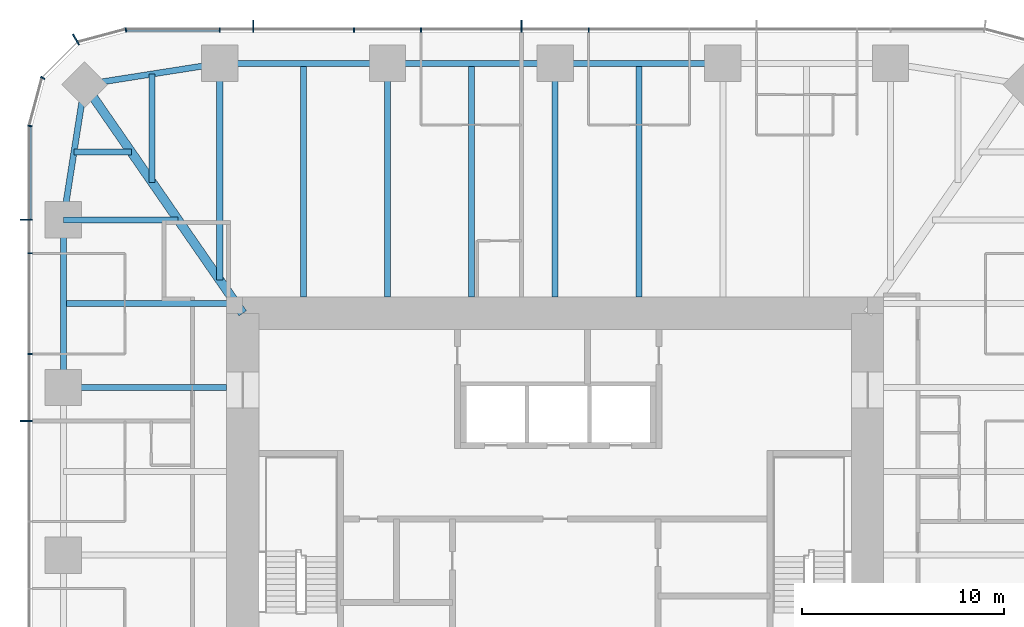
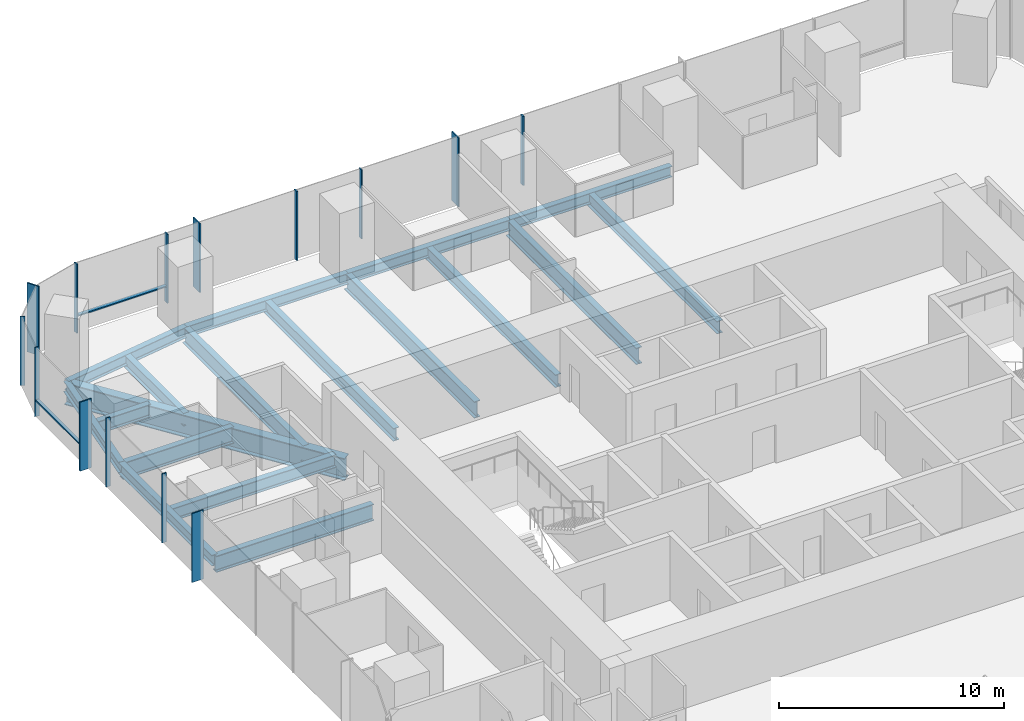
# One storey, part 5 of 12: 18 beams, 16 members, 3 elements without a shape of their own.
"""IFC4 building model written with IfcOpenShell, lengths in metres."""

from ifc_helpers import new_model, si_unit, direction, frame, origin, origin_2d, place, context, subcontext, project, spatial, rectangle, i_section, extrude, material, material_profile, profile_set, type_object, element, aggregate, save


model = new_model("IFC4")

# Units and contexts
model_context = context("Model", 3, precision=1e-05, world=origin(), true_north=direction((0.0, 1.0)))
body_context = subcontext(model_context, "Body", "Model", "MODEL_VIEW")
ifc_project = project(units=[si_unit("LENGTHUNIT", "METRE"), si_unit("AREAUNIT", "SQUARE_METRE"), si_unit("VOLUMEUNIT", "CUBIC_METRE"), si_unit("PLANEANGLEUNIT", "RADIAN"), si_unit("MASSUNIT", "GRAM", prefix="KILO")], contexts=[model_context])

# Site, building, storey
site_placement = place(None, origin())
site = spatial("IfcSite", under=ifc_project, at=site_placement, CompositionType="ELEMENT")
building_placement = place(site_placement, origin())
building = spatial("IfcBuilding", under=site, at=building_placement, Name="Khuree Lantern Residences", CompositionType="ELEMENT")
storey_placement = place(building_placement, frame((0.0, 0.0, 233.25)))
storey = spatial("IfcBuildingStorey", under=building, at=storey_placement, Name="L58", CompositionType="ELEMENT", Elevation=233.25)

# Beams
ifc_material_1 = material(Name="Steel S355", Category="steel")
ifc_material_profile_1 = material_profile(ifc_material_1, i_section(OverallWidth=0.300048828125, OverallDepth=0.68994140625, WebThickness=0.014404296875, FlangeThickness=0.027099609375, FilletRadius=0.027099609375, at=origin_2d()), Name="HE 700 A")
ifc_profile_set_1 = profile_set([ifc_material_profile_1], Name="Steel S355")
beam_type_1 = type_object("IfcBeamType", Name="B-33 SECONDARY BEAM HE 700 A", PredefinedType="BEAM", material=ifc_profile_set_1)
for number, where, z_axis, x_axis, name in (
    (1, (-12.47998046875, 24.39990234375, -0.594970703125), (0.0, -1.0, 0.0), (1.0, 0.0, 0.0), "Secondary beam N1"),
    (2, (-4.159912109375, 24.39990234375, -0.594970703125), (0.0, -1.0, 0.0), (1.0, 0.0, 0.0), "Secondary beam N2"),
    (3, (4.159912109375, 24.39990234375, -0.594970703125), (0.0, -1.0, 0.0), (1.0, 0.0, 0.0), "Secondary beam N3"),
):
    element("IfcBeam", number, at=place(storey_placement, frame(where, z_axis=z_axis, x_axis=x_axis)), inside=storey, type_object=beam_type_1, Name=name, PredefinedType="BEAM", context=body_context, shape_type="SweptSolid", body=[
        extrude(i_section(OverallWidth=0.300048828125, OverallDepth=0.68994140625, WebThickness=0.014404296875, FlangeThickness=0.027099609375, FilletRadius=0.027099609375, at=origin_2d()), origin(), (0.0, 0.0, 1.0), 11.599853515625),
    ])
beam_1_placement = place(storey_placement, frame((-24.39990234375, 12.47998046875, -0.594970703125), z_axis=(1.0, 0.0, 0.0), x_axis=(0.0, 1.0, 0.0)))
element("IfcBeam", 4, at=beam_1_placement, inside=storey, type_object=beam_type_1, Name="Secondary beam W5", PredefinedType="BEAM", context=body_context, shape_type="SweptSolid", body=[
    extrude(i_section(OverallWidth=0.300048828125, OverallDepth=0.68994140625, WebThickness=0.014404296875, FlangeThickness=0.027099609375, FilletRadius=0.027099609375, at=origin_2d()), origin(), (0.0, 0.0, 1.0), 8.56787109375),
])
beam_2_placement = place(storey_placement, frame((-23.872802734375, 19.992919921875, -0.594970703125), z_axis=(1.0, 0.0, 0.0), x_axis=(0.0, 1.0, 0.0)))
element("IfcBeam", 5, at=beam_2_placement, inside=storey, type_object=beam_type_1, Name="Secondary beam W6", PredefinedType="BEAM", context=body_context, shape_type="SweptSolid", body=[
    extrude(i_section(OverallWidth=0.300048828125, OverallDepth=0.68994140625, WebThickness=0.014404296875, FlangeThickness=0.027099609375, FilletRadius=0.027099609375, at=origin_2d()), origin(), (0.0, 0.0, 1.0), 2.845703125),
])
beam_3_placement = place(storey_placement, frame((-19.992919921875, 23.872802734375, -0.594970703125), z_axis=(0.0, -1.0, 0.0), x_axis=(1.0, 0.0, 0.0)))
element("IfcBeam", 6, at=beam_3_placement, inside=storey, type_object=beam_type_1, Name="Secondary beam N6", PredefinedType="BEAM", context=body_context, shape_type="SweptSolid", body=[
    extrude(i_section(OverallWidth=0.300048828125, OverallDepth=0.68994140625, WebThickness=0.014404296875, FlangeThickness=0.027099609375, FilletRadius=0.027099609375, at=origin_2d()), origin(), (0.0, 0.0, 1.0), 5.375732421875),
])
ifc_material_profile_2 = material_profile(ifc_material_1, i_section(OverallWidth=0.300048828125, OverallDepth=0.590087890625, WebThickness=0.012939453125, FlangeThickness=0.02490234375, FilletRadius=0.027099609375, at=origin_2d()), Name="HE 600 A")
ifc_profile_set_2 = profile_set([ifc_material_profile_2], Name="Steel S355")
beam_type_2 = type_object("IfcBeamType", Name="E-33 SPANDREL BEAM HE 600 A", PredefinedType="SPANDREL", material=ifc_profile_set_2)
beam_4_placement = place(storey_placement, frame((-16.639892578125, 24.39990234375, -0.544921875), z_axis=(1.0, 0.0, 0.0), x_axis=(0.0, 1.0, 0.0)))
element("IfcBeam", 7, at=beam_4_placement, inside=storey, type_object=beam_type_2, Name="Spandrel beam N1", PredefinedType="SPANDREL", context=body_context, shape_type="SweptSolid", body=[
    extrude(i_section(OverallWidth=0.300048828125, OverallDepth=0.590087890625, WebThickness=0.012939453125, FlangeThickness=0.02490234375, FilletRadius=0.027099609375, at=origin_2d()), origin(), (0.0, 0.0, 1.0), 8.31982421875),
])
for number, where, z_axis, x_axis, name in (
    (8, (-8.320068359375, 24.39990234375, -0.544921875), (1.0, 0.0, 0.0), (0.0, 1.0, 0.0), "Spandrel beam N2"),
    (9, (0.0, 24.39990234375, -0.544921875), (1.0, 0.0, 0.0), (0.0, 1.0, 0.0), "Spandrel beam N3"),
):
    element("IfcBeam", number, at=place(storey_placement, frame(where, z_axis=z_axis, x_axis=x_axis)), inside=storey, type_object=beam_type_2, Name=name, PredefinedType="SPANDREL", context=body_context, shape_type="SweptSolid", body=[
        extrude(i_section(OverallWidth=0.300048828125, OverallDepth=0.590087890625, WebThickness=0.012939453125, FlangeThickness=0.02490234375, FilletRadius=0.027099609375, at=origin_2d()), origin(), (0.0, 0.0, 1.0), 8.320068359375),
    ])
beam_5_placement = place(storey_placement, frame((-24.39990234375, 8.320068359375, -0.544921875), z_axis=(0.0, 1.0, 0.0), x_axis=(-1.0, 0.0, 0.0)))
element("IfcBeam", 10, at=beam_5_placement, inside=storey, type_object=beam_type_2, Name="Spandrel beam W5", PredefinedType="SPANDREL", context=body_context, shape_type="SweptSolid", body=[
    extrude(i_section(OverallWidth=0.300048828125, OverallDepth=0.590087890625, WebThickness=0.012939453125, FlangeThickness=0.02490234375, FilletRadius=0.027099609375, at=origin_2d()), origin(), (0.0, 0.0, 1.0), 8.31982421875),
])
for number, where, z_axis, x_axis, name in (
    (11, (-24.39990234375, 16.639892578125, -0.544921875), (0.155299507442, 0.98786743189, 0.0), (-0.98786743189, 0.155299507442, 0.0), "Spandrel beam W6"),
    (12, (-23.345703125, 23.345703125, -0.544921875), (0.98786743189, 0.155299507442, 0.0), (-0.155299507442, 0.98786743189, 0.0), "Spandrel beam N6"),
):
    element("IfcBeam", number, at=place(storey_placement, frame(where, z_axis=z_axis, x_axis=x_axis)), inside=storey, type_object=beam_type_2, Name=name, PredefinedType="SPANDREL", context=body_context, shape_type="SweptSolid", body=[
        extrude(i_section(OverallWidth=0.300048828125, OverallDepth=0.590087890625, WebThickness=0.012939453125, FlangeThickness=0.02490234375, FilletRadius=0.027099609375, at=origin_2d()), origin(), (0.0, 0.0, 1.0), 6.7880859375),
    ])

# Curtain wall, members
ifc_material_2 = material(Name="Bronze anodised aluminium", Category="aluminium")
curtain_wall_type_1 = type_object("IfcCurtainWallType", Name="CW-T1 TOWER FACE CURTAIN WALL", PredefinedType="USERDEFINED", material=ifc_material_2)
curtain_wall_1_placement = place(storey_placement, origin())
curtain_wall_1 = element("IfcCurtainWall", 13, at=curtain_wall_1_placement, inside=storey, type_object=curtain_wall_type_1, Name="L58 NORTH FACE CURTAIN WALL", ObjectType="Stick-built curtain wall", PredefinedType="USERDEFINED")
ifc_material_profile_3 = material_profile(ifc_material_2, rectangle(XDim=0.06494140625, YDim=0.60009765625, at=origin_2d()), Name="F1 65X600")
ifc_profile_set_3 = profile_set([ifc_material_profile_3], Name="Bronze anodised aluminium")
member_type_1 = type_object("IfcMemberType", Name="F1 BRONZE FIN MULLION TOWER 65X600", PredefinedType="MULLION", material=ifc_profile_set_3)
member_1_placement = place(storey_placement, frame((-1.6640625, 26.25, 0.0), z_axis=(0.0, 0.0, 1.0), x_axis=(-1.0, 0.0, 0.0)))
member_1 = element("IfcMember", 14, at=member_1_placement, type_object=member_type_1, Name="L58 NORTH FACE FIN MULLION 24", PredefinedType="MULLION", context=body_context, shape_type="SweptSolid", body=[
    extrude(rectangle(XDim=0.06494140625, YDim=0.60009765625, at=origin_2d()), origin(), (0.0, 0.0, 1.0), 3.75),
])
member_2_placement = place(storey_placement, frame((-14.97607421875, 26.25, 0.0), z_axis=(0.0, 0.0, 1.0), x_axis=(-1.0, 0.0, 0.0)))
member_2 = element("IfcMember", 15, at=member_2_placement, type_object=member_type_1, Name="L58 NORTH FACE FIN MULLION 27", PredefinedType="MULLION", context=body_context, shape_type="SweptSolid", body=[
    extrude(rectangle(XDim=0.06494140625, YDim=0.60009765625, at=origin_2d()), origin(), (0.0, 0.0, 1.0), 3.75),
])

# Curtain wall, member
curtain_wall_type_2 = type_object("IfcCurtainWallType", Name="CW-T2 TOWER CORNER CURTAIN WALL", PredefinedType="USERDEFINED", material=ifc_material_2)
curtain_wall_2_placement = place(storey_placement, origin())
curtain_wall_2 = element("IfcCurtainWall", 16, at=curtain_wall_2_placement, inside=storey, type_object=curtain_wall_type_2, Name="L58 NORTH-WEST CORNER CURTAIN WALL", ObjectType="Faceted corner curtain wall", PredefinedType="USERDEFINED")
member_3_placement = place(storey_placement, frame((-23.77490234375, 25.5869140625, 0.0), z_axis=(0.0, 0.0, 1.0), x_axis=(-0.866025409797, -0.499999989586, 0.0)))
member_3 = element("IfcMember", 17, at=member_3_placement, type_object=member_type_1, Name="L58 NORTH-WEST CORNER FIN MULLION 30", PredefinedType="MULLION", context=body_context, shape_type="SweptSolid", body=[
    extrude(rectangle(XDim=0.06494140625, YDim=0.60009765625, at=origin_2d()), origin(), (0.0, 0.0, 1.0), 3.75),
])

# Curtain wall, members
curtain_wall_3_placement = place(storey_placement, origin())
curtain_wall_3 = element("IfcCurtainWall", 18, at=curtain_wall_3_placement, inside=storey, type_object=curtain_wall_type_1, Name="L58 WEST FACE CURTAIN WALL", ObjectType="Stick-built curtain wall", PredefinedType="USERDEFINED")
member_4_placement = place(storey_placement, frame((-26.25, 16.639892578125, 0.0), z_axis=(0.0, 0.0, 1.0), x_axis=(0.0, -1.0, 0.0)))
member_4 = element("IfcMember", 19, at=member_4_placement, type_object=member_type_1, Name="L58 WEST FACE FIN MULLION 33", PredefinedType="MULLION", context=body_context, shape_type="SweptSolid", body=[
    extrude(rectangle(XDim=0.06494140625, YDim=0.60009765625, at=origin_2d()), origin(), (0.0, 0.0, 1.0), 3.75),
])
member_5_placement = place(storey_placement, frame((-26.25, 6.656005859375, 0.0), z_axis=(0.0, 0.0, 1.0), x_axis=(0.0, -1.0, 0.0)))
member_5 = element("IfcMember", 20, at=member_5_placement, type_object=member_type_1, Name="L58 WEST FACE FIN MULLION 36", PredefinedType="MULLION", context=body_context, shape_type="SweptSolid", body=[
    extrude(rectangle(XDim=0.06494140625, YDim=0.60009765625, at=origin_2d()), origin(), (0.0, 0.0, 1.0), 3.75),
])

# Beams
ifc_material_profile_4 = material_profile(ifc_material_1, i_section(OverallWidth=0.300048828125, OverallDepth=0.89990234375, WebThickness=0.0185546875, FlangeThickness=0.034912109375, FilletRadius=0.030029296875, at=origin_2d()), Name="HE 900 B")
ifc_profile_set_4 = profile_set([ifc_material_profile_4], Name="Steel S355")
beam_type_3 = type_object("IfcBeamType", Name="G-33 GIRDER HE 900 B", PredefinedType="BEAM", material=ifc_profile_set_4)
beam_6_placement = place(storey_placement, frame((-16.639892578125, 24.39990234375, -0.699951171875), z_axis=(0.0, -1.0, 0.0), x_axis=(1.0, 0.0, 0.0)))
element("IfcBeam", 21, at=beam_6_placement, inside=storey, type_object=beam_type_3, Name="Girder N1", PredefinedType="BEAM", context=body_context, shape_type="SweptSolid", body=[
    extrude(i_section(OverallWidth=0.300048828125, OverallDepth=0.89990234375, WebThickness=0.0185546875, FlangeThickness=0.034912109375, FilletRadius=0.030029296875, at=origin_2d()), origin(), (0.0, 0.0, 1.0), 10.751220703125),
])
for number, where, z_axis, x_axis, name in (
    (22, (-8.320068359375, 24.39990234375, -0.699951171875), (0.0, -1.0, 0.0), (1.0, 0.0, 0.0), "Girder N2"),
    (23, (0.0, 24.39990234375, -0.699951171875), (0.0, -1.0, 0.0), (1.0, 0.0, 0.0), "Girder N3"),
):
    element("IfcBeam", number, at=place(storey_placement, frame(where, z_axis=z_axis, x_axis=x_axis)), inside=storey, type_object=beam_type_3, Name=name, PredefinedType="BEAM", context=body_context, shape_type="SweptSolid", body=[
        extrude(i_section(OverallWidth=0.300048828125, OverallDepth=0.89990234375, WebThickness=0.0185546875, FlangeThickness=0.034912109375, FilletRadius=0.030029296875, at=origin_2d()), origin(), (0.0, 0.0, 1.0), 11.599853515625),
    ])
beam_7_placement = place(storey_placement, frame((-24.39990234375, 8.320068359375, -0.699951171875), z_axis=(1.0, 0.0, 0.0), x_axis=(0.0, 1.0, 0.0)))
element("IfcBeam", 24, at=beam_7_placement, inside=storey, type_object=beam_type_3, Name="Girder W4", PredefinedType="BEAM", context=body_context, shape_type="SweptSolid", body=[
    extrude(i_section(OverallWidth=0.300048828125, OverallDepth=0.89990234375, WebThickness=0.0185546875, FlangeThickness=0.034912109375, FilletRadius=0.030029296875, at=origin_2d()), origin(), (0.0, 0.0, 1.0), 8.099853515625),
])
beam_8_placement = place(storey_placement, frame((-24.39990234375, 16.639892578125, -0.699951171875), z_axis=(1.0, 0.0, 0.0), x_axis=(0.0, 1.0, 0.0)))
element("IfcBeam", 25, at=beam_8_placement, inside=storey, type_object=beam_type_3, Name="Girder W5", PredefinedType="BEAM", context=body_context, shape_type="SweptSolid", body=[
    extrude(i_section(OverallWidth=0.300048828125, OverallDepth=0.89990234375, WebThickness=0.0185546875, FlangeThickness=0.034912109375, FilletRadius=0.030029296875, at=origin_2d()), origin(), (0.0, 0.0, 1.0), 5.69140625),
])
ifc_material_profile_5 = material_profile(ifc_material_1, i_section(OverallWidth=0.449951171875, OverallDepth=1.199951171875, WebThickness=0.02490234375, FlangeThickness=0.044921875, at=origin_2d()), Name="WELDED I 1200X450X25X45")
ifc_profile_set_5 = profile_set([ifc_material_profile_5], Name="Steel S355")
beam_type_4 = type_object("IfcBeamType", Name="GD-33 CORNER GIRDER WELDED I 1200X450X25X45", PredefinedType="BEAM", material=ifc_profile_set_5)
beam_9_placement = place(storey_placement, frame((-23.345703125, 23.345703125, -0.85009765625), z_axis=(0.56876813501, -0.822497907959, 0.0), x_axis=(0.822497907959, 0.56876813501, 0.0)))
element("IfcBeam", 26, at=beam_9_placement, inside=storey, type_object=beam_type_4, Name="Corner girder NW", PredefinedType="BEAM", context=body_context, shape_type="SweptSolid", body=[
    extrude(i_section(OverallWidth=0.449951171875, OverallDepth=1.199951171875, WebThickness=0.02490234375, FlangeThickness=0.044921875, at=origin_2d()), origin(), (0.0, 0.0, 1.0), 13.794189453125),
])

# Member
ifc_material_profile_6 = material_profile(ifc_material_2, rectangle(XDim=0.06494140625, YDim=0.219970703125, at=origin_2d()), Name="M1 65X220")
ifc_profile_set_6 = profile_set([ifc_material_profile_6], Name="Bronze anodised aluminium")
member_type_2 = type_object("IfcMemberType", Name="M1 BRONZE MULLION TOWER 65X220", PredefinedType="MULLION", material=ifc_profile_set_6)
member_6_placement = place(storey_placement, frame((1.6640625, 26.06005859375, 0.0), z_axis=(0.0, 0.0, 1.0), x_axis=(-1.0, 0.0, 0.0)))
member_6 = element("IfcMember", 27, at=member_6_placement, type_object=member_type_2, Name="L58 NORTH FACE MULLION 23", PredefinedType="MULLION", context=body_context, shape_type="SweptSolid", body=[
    extrude(rectangle(XDim=0.06494140625, YDim=0.219970703125, at=origin_2d()), origin(), (0.0, 0.0, 1.0), 3.75),
])

member_7_placement = place(storey_placement, frame((-6.656005859375, 26.06005859375, 0.0), z_axis=(0.0, 0.0, 1.0), x_axis=(-1.0, 0.0, 0.0)))
member_7 = element("IfcMember", 28, at=member_7_placement, type_object=member_type_2, Name="L58 NORTH FACE MULLION 25", PredefinedType="MULLION", context=body_context, shape_type="SweptSolid", body=[
    extrude(rectangle(XDim=0.06494140625, YDim=0.219970703125, at=origin_2d()), origin(), (0.0, 0.0, 1.0), 3.75),
])

member_8_placement = place(storey_placement, frame((-9.98388671875, 26.06005859375, 0.0), z_axis=(0.0, 0.0, 1.0), x_axis=(-1.0, 0.0, 0.0)))
member_8 = element("IfcMember", 29, at=member_8_placement, type_object=member_type_2, Name="L58 NORTH FACE MULLION 26", PredefinedType="MULLION", context=body_context, shape_type="SweptSolid", body=[
    extrude(rectangle(XDim=0.06494140625, YDim=0.219970703125, at=origin_2d()), origin(), (0.0, 0.0, 1.0), 3.75),
])

member_9_placement = place(storey_placement, frame((-16.639892578125, 26.06005859375, 0.0), z_axis=(0.0, 0.0, 1.0), x_axis=(-1.0, 0.0, 0.0)))
member_9 = element("IfcMember", 30, at=member_9_placement, type_object=member_type_2, Name="L58 NORTH FACE MULLION 28", PredefinedType="MULLION", context=body_context, shape_type="SweptSolid", body=[
    extrude(rectangle(XDim=0.06494140625, YDim=0.219970703125, at=origin_2d()), origin(), (0.0, 0.0, 1.0), 3.75),
])

member_10_placement = place(storey_placement, frame((-21.294921875, 26.061767578125, 0.0), z_axis=(0.0, 0.0, 1.0), x_axis=(-0.991444862943, -0.130526180298, 0.0)))
member_10 = element("IfcMember", 31, at=member_10_placement, type_object=member_type_2, Name="L58 NORTH-WEST CORNER MULLION 29", PredefinedType="MULLION", context=body_context, shape_type="SweptSolid", body=[
    extrude(rectangle(XDim=0.06494140625, YDim=0.219970703125, at=origin_2d()), origin(), (0.0, 0.0, 1.0), 3.75),
])

member_11_placement = place(storey_placement, frame((-25.42236328125, 23.679931640625, 0.0), z_axis=(0.0, 0.0, 1.0), x_axis=(-0.499999989586, -0.866025409797, 0.0)))
member_11 = element("IfcMember", 32, at=member_11_placement, type_object=member_type_2, Name="L58 NORTH-WEST CORNER MULLION 31", PredefinedType="MULLION", context=body_context, shape_type="SweptSolid", body=[
    extrude(rectangle(XDim=0.06494140625, YDim=0.219970703125, at=origin_2d()), origin(), (0.0, 0.0, 1.0), 3.75),
])

aggregate(curtain_wall_2, [member_10, member_3, member_11])

member_12_placement = place(storey_placement, frame((-26.061767578125, 21.294921875, 0.0), z_axis=(0.0, 0.0, 1.0), x_axis=(-0.130526180298, -0.991444862943, 0.0)))
member_12 = element("IfcMember", 33, at=member_12_placement, type_object=member_type_2, Name="L58 WEST FACE MULLION 32", PredefinedType="MULLION", context=body_context, shape_type="SweptSolid", body=[
    extrude(rectangle(XDim=0.06494140625, YDim=0.219970703125, at=origin_2d()), origin(), (0.0, 0.0, 1.0), 3.75),
])

member_13_placement = place(storey_placement, frame((-26.06005859375, 14.97607421875, 0.0), z_axis=(0.0, 0.0, 1.0), x_axis=(0.0, -1.0, 0.0)))
member_13 = element("IfcMember", 34, at=member_13_placement, type_object=member_type_2, Name="L58 WEST FACE MULLION 34", PredefinedType="MULLION", context=body_context, shape_type="SweptSolid", body=[
    extrude(rectangle(XDim=0.06494140625, YDim=0.219970703125, at=origin_2d()), origin(), (0.0, 0.0, 1.0), 3.75),
])

member_14_placement = place(storey_placement, frame((-26.06005859375, 9.98388671875, 0.0), z_axis=(0.0, 0.0, 1.0), x_axis=(0.0, -1.0, 0.0)))
member_14 = element("IfcMember", 35, at=member_14_placement, type_object=member_type_2, Name="L58 WEST FACE MULLION 35", PredefinedType="MULLION", context=body_context, shape_type="SweptSolid", body=[
    extrude(rectangle(XDim=0.06494140625, YDim=0.219970703125, at=origin_2d()), origin(), (0.0, 0.0, 1.0), 3.75),
])

ifc_material_profile_7 = material_profile(ifc_material_2, rectangle(XDim=0.179931640625, YDim=0.06494140625, at=origin_2d()), Name="T1 180X65")
ifc_profile_set_7 = profile_set([ifc_material_profile_7], Name="Bronze anodised aluminium")
member_type_3 = type_object("IfcMemberType", Name="TRANSOM T1 TOWER 180X65", PredefinedType="USERDEFINED", material=ifc_profile_set_7)
member_15_placement = place(storey_placement, frame((-16.672607421875, 26.070068359375, 0.89990234375), z_axis=(-1.0, 0.0, 0.0), x_axis=(0.0, -1.0, 0.0)))
member_15 = element("IfcMember", 36, at=member_15_placement, type_object=member_type_3, Name="L58 NORTH FACE TRANSOM 28.1", ObjectType="Transom", PredefinedType="USERDEFINED", context=body_context, shape_type="SweptSolid", body=[
    extrude(rectangle(XDim=0.179931640625, YDim=0.06494140625, at=origin_2d()), origin(), (0.0, 0.0, 1.0), 4.578857421875),
])

aggregate(curtain_wall_1, [member_6, member_1, member_7, member_8, member_2, member_9, member_15])

member_16_placement = place(storey_placement, frame((-26.070068359375, 21.25146484375, 0.89990234375), z_axis=(0.0, -1.0, 0.0), x_axis=(1.0, 0.0, 0.0)))
member_16 = element("IfcMember", 37, at=member_16_placement, type_object=member_type_3, Name="L58 WEST FACE TRANSOM 32.1", ObjectType="Transom", PredefinedType="USERDEFINED", context=body_context, shape_type="SweptSolid", body=[
    extrude(rectangle(XDim=0.179931640625, YDim=0.06494140625, at=origin_2d()), origin(), (0.0, 0.0, 1.0), 4.578857421875),
])

aggregate(curtain_wall_3, [member_12, member_4, member_13, member_14, member_5, member_16])

save(model, "model.ifc")
